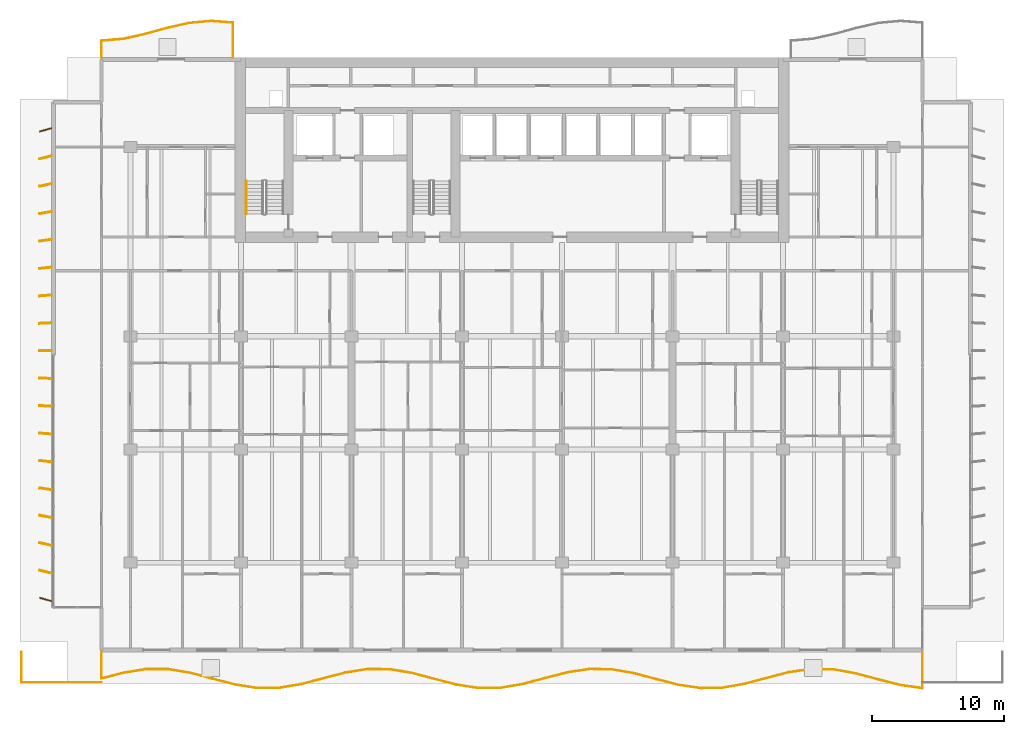
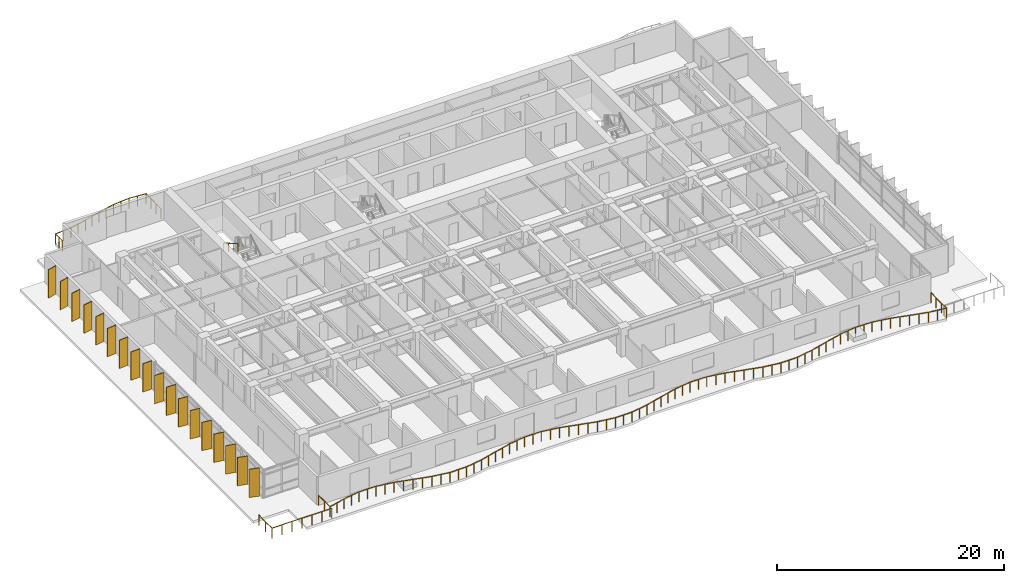
# One storey, part 14 of 17: 18 shading devices, 4 railings.
"""IFC4 building model written with IfcOpenShell, lengths in metres."""

from ifc_helpers import new_model, si_unit, direction, frame, origin, origin_2d, place, context, subcontext, project, spatial, rectangle, circle, extrude, material, material_profile, profile_set, type_object, element, save


model = new_model("IFC4")

# Units and contexts
model_context = context("Model", 3, precision=1e-05, world=origin(), true_north=direction((0.0, 1.0)))
body_context = subcontext(model_context, "Body", "Model", "MODEL_VIEW")
ifc_project = project(units=[si_unit("LENGTHUNIT", "METRE"), si_unit("AREAUNIT", "SQUARE_METRE"), si_unit("VOLUMEUNIT", "CUBIC_METRE"), si_unit("PLANEANGLEUNIT", "RADIAN"), si_unit("MASSUNIT", "GRAM", prefix="KILO")], contexts=[model_context])

# Site, building, storey
site_placement = place(None, origin())
site = spatial("IfcSite", under=ifc_project, at=site_placement, CompositionType="ELEMENT")
building_placement = place(site_placement, origin())
building = spatial("IfcBuilding", under=site, at=building_placement, Name="Caelmar Bay Residences", CompositionType="ELEMENT")
storey_placement = place(building_placement, frame((0.0, 0.0, 84.60009765625)))
storey = spatial("IfcBuildingStorey", under=building, at=storey_placement, Name="L22", CompositionType="ELEMENT", Elevation=84.60009765625)

# Railings
ifc_material_1 = material(Name="Anodised bronze handrail with laminated hurricane glass infill", Category="glass")
railing_type_1 = type_object("IfcRailingType", Name="RL-BAL-1100", PredefinedType="BALUSTRADE", material=ifc_material_1)
railing_1_placement = place(storey_placement, frame((7.699951171875, 5.39990234375, 0.0)))
element("IfcRailing", 1, at=railing_1_placement, inside=storey, type_object=railing_type_1, Name="L22 south Balcony Balustrade", PredefinedType="BALUSTRADE", context=body_context, shape_type="SweptSolid", body=[
    extrude(circle(Radius=0.02392578125, at=origin_2d()), frame((0.0, 0.0, 1.076171875), z_axis=(0.0, -1.0, 0.0), x_axis=(1.0, 0.0, 0.0)), (0.0, 0.0, 1.0), 2.02001953125),
    extrude(circle(Radius=0.02392578125, at=origin_2d()), frame((0.0, -2.02001953125, 1.076171875), z_axis=(0.967277371032, 0.253721279142, 0.0), x_axis=(-0.253721279142, 0.967277371032, 0.0)), (0.0, 0.0, 1.0), 1.74365234375),
    extrude(circle(Radius=0.02392578125, at=origin_2d()), frame((1.6865234375, -1.57763671875, 1.076171875), z_axis=(0.987222996916, 0.159344765715, 0.0), x_axis=(-0.159344765715, 0.987222996916, 0.0)), (0.0, 0.0, 1.0), 1.708251953125),
    extrude(circle(Radius=0.02392578125, at=origin_2d()), frame((3.373046875, -1.305419921875, 1.076171875), z_axis=(0.999998491217, -0.001737113766, 0.0), x_axis=(0.001737113766, 0.999998491217, 0.0)), (0.0, 0.0, 1.0), 1.6865234375),
    extrude(circle(Radius=0.02392578125, at=origin_2d()), frame((5.0595703125, -1.308349609375, 1.076171875), z_axis=(0.986811582077, -0.16187310301, 0.0), x_axis=(0.16187310301, 0.986811582077, 0.0)), (0.0, 0.0, 1.0), 1.708740234375),
    extrude(circle(Radius=0.02392578125, at=origin_2d()), frame((6.745849609375, -1.5849609375, 1.076171875), z_axis=(0.967036446825, -0.254637998954, 0.0), x_axis=(0.254637998954, 0.967036446825, 0.0)), (0.0, 0.0, 1.0), 1.743896484375),
    extrude(circle(Radius=0.02392578125, at=origin_2d()), frame((8.432373046875, -2.029052734375, 1.076171875), z_axis=(0.967551794739, -0.252672761684, 0.0), x_axis=(0.252672761684, 0.967551794739, 0.0)), (0.0, 0.0, 1.0), 1.7431640625),
    extrude(circle(Radius=0.02392578125, at=origin_2d()), frame((10.118896484375, -2.469482421875, 1.076171875), z_axis=(0.987646769685, -0.156696708103, 0.0), x_axis=(0.156696708103, 0.987646769685, 0.0)), (0.0, 0.0, 1.0), 1.70751953125),
    extrude(circle(Radius=0.02392578125, at=origin_2d()), frame((11.805419921875, -2.737060546875, 1.076171875), z_axis=(0.999987165083, 0.005066524432, 0.0), x_axis=(-0.005066524432, 0.999987165083, 0.0)), (0.0, 0.0, 1.0), 1.6865234375),
    extrude(circle(Radius=0.02392578125, at=origin_2d()), frame((13.491943359375, -2.728515625, 1.076171875), z_axis=(0.986401641189, 0.164352676463, 0.0), x_axis=(-0.164352676463, 0.986401641189, 0.0)), (0.0, 0.0, 1.0), 1.709716796875),
    extrude(circle(Radius=0.02392578125, at=origin_2d()), frame((15.178466796875, -2.447509765625, 1.076171875), z_axis=(0.966794774667, 0.255554032794, 0.0), x_axis=(-0.255554032794, 0.966794774667, 0.0)), (0.0, 0.0, 1.0), 1.744384765625),
    extrude(circle(Radius=0.02392578125, at=origin_2d()), frame((16.864990234375, -2.001708984375, 1.076171875), z_axis=(0.967791109938, 0.251754577962, 0.0), x_axis=(-0.251754577962, 0.967791109938, 0.0)), (0.0, 0.0, 1.0), 1.74267578125),
    extrude(circle(Radius=0.02392578125, at=origin_2d()), frame((18.551513671875, -1.56298828125, 1.076171875), z_axis=(0.988082163557, 0.153927379179, 0.0), x_axis=(-0.153927379179, 0.988082163557, 0.0)), (0.0, 0.0, 1.0), 1.70654296875),
    extrude(circle(Radius=0.02392578125, at=origin_2d()), frame((20.23779296875, -1.30029296875, 1.076171875), z_axis=(0.999965959739, -0.008251021961, 0.0), x_axis=(0.008251021961, 0.999965959739, 0.0)), (0.0, 0.0, 1.0), 1.6865234375),
    extrude(circle(Radius=0.02392578125, at=origin_2d()), frame((21.92431640625, -1.314208984375, 1.076171875), z_axis=(0.985958479003, -0.166990651481, 0.0), x_axis=(0.166990651481, 0.985958479003, 0.0)), (0.0, 0.0, 1.0), 1.71044921875),
    extrude(circle(Radius=0.02392578125, at=origin_2d()), frame((23.61083984375, -1.599853515625, 1.076171875), z_axis=(0.966587033204, -0.256338657329, 0.0), x_axis=(0.256338657329, 0.966587033204, 0.0)), (0.0, 0.0, 1.0), 1.744873046875),
    extrude(circle(Radius=0.02392578125, at=origin_2d()), frame((25.29736328125, -2.047119140625, 1.076171875), z_axis=(0.968063689917, -0.250704392192, 0.0), x_axis=(0.250704392192, 0.968063689917, 0.0)), (0.0, 0.0, 1.0), 1.7421875),
    extrude(circle(Radius=0.02392578125, at=origin_2d()), frame((26.98388671875, -2.48388671875, 1.076171875), z_axis=(0.988474035302, -0.151390493536, 0.0), x_axis=(0.151390493536, 0.988474035302, 0.0)), (0.0, 0.0, 1.0), 1.706298828125),
    extrude(circle(Radius=0.02392578125, at=origin_2d()), frame((28.67041015625, -2.7421875, 1.076171875), z_axis=(0.999931262995, 0.011724729633, 0.0), x_axis=(-0.011724729633, 0.999931262995, 0.0)), (0.0, 0.0, 1.0), 1.6865234375),
    extrude(circle(Radius=0.02392578125, at=origin_2d()), frame((30.35693359375, -2.722412109375, 1.076171875), z_axis=(0.985528412921, 0.169510316281, 0.0), x_axis=(-0.169510316281, 0.985528412921, 0.0)), (0.0, 0.0, 1.0), 1.7109375),
    extrude(circle(Radius=0.02392578125, at=origin_2d()), frame((32.043212890625, -2.432373046875, 1.076171875), z_axis=(0.966343976933, 0.257253412504, 0.0), x_axis=(-0.257253412504, 0.966343976933, 0.0)), (0.0, 0.0, 1.0), 1.745361328125),
    extrude(circle(Radius=0.02392578125, at=origin_2d()), frame((33.729736328125, -1.9833984375, 1.076171875), z_axis=(0.968335282607, 0.249653320545, 0.0), x_axis=(-0.249653320545, 0.968335282607, 0.0)), (0.0, 0.0, 1.0), 1.74169921875),
    extrude(circle(Radius=0.02392578125, at=origin_2d()), frame((35.416259765625, -1.548583984375, 1.076171875), z_axis=(0.988919545857, 0.148452456435, 0.0), x_axis=(-0.148452456435, 0.988919545857, 0.0)), (0.0, 0.0, 1.0), 1.705322265625),
    extrude(circle(Radius=0.02392578125, at=origin_2d()), frame((37.102783203125, -1.29541015625, 1.076171875), z_axis=(0.999888860768, -0.014908591873, 0.0), x_axis=(0.014908591873, 0.999888860768, 0.0)), (0.0, 0.0, 1.0), 1.686767578125),
    extrude(circle(Radius=0.02392578125, at=origin_2d()), frame((38.789306640625, -1.320556640625, 1.076171875), z_axis=(0.985100605881, -0.171979057715, 0.0), x_axis=(0.171979057715, 0.985100605881, 0.0)), (0.0, 0.0, 1.0), 1.7119140625),
    extrude(circle(Radius=0.02392578125, at=origin_2d()), frame((40.475830078125, -1.614990234375, 1.076171875), z_axis=(0.966135051847, -0.258036938428, 0.0), x_axis=(0.258036938428, 0.966135051847, 0.0)), (0.0, 0.0, 1.0), 1.74560546875),
    extrude(circle(Radius=0.02392578125, at=origin_2d()), frame((42.162353515625, -2.0654296875, 1.076171875), z_axis=(0.968630982277, -0.24850356169, 0.0), x_axis=(0.24850356169, 0.968630982277, 0.0)), (0.0, 0.0, 1.0), 1.740966796875),
    extrude(circle(Radius=0.02392578125, at=origin_2d()), frame((43.8486328125, -2.498046875, 1.076171875), z_axis=(0.989294770165, -0.1459310033, 0.0), x_axis=(0.1459310033, 0.989294770165, 0.0)), (0.0, 0.0, 1.0), 1.704833984375),
    extrude(circle(Radius=0.02392578125, at=origin_2d()), frame((45.53515625, -2.746826171875, 1.076171875), z_axis=(0.999831048242, 0.01838137567, 0.0), x_axis=(-0.01838137567, 0.999831048242, 0.0)), (0.0, 0.0, 1.0), 1.686767578125),
    extrude(circle(Radius=0.02392578125, at=origin_2d()), frame((47.2216796875, -2.7158203125, 1.076171875), z_axis=(0.984662785192, 0.174468333682, 0.0), x_axis=(-0.174468333682, 0.984662785192, 0.0)), (0.0, 0.0, 1.0), 1.712890625),
    extrude(circle(Radius=0.02392578125, at=origin_2d()), frame((48.908203125, -2.4169921875, 1.076171875), z_axis=(0.965960531679, 0.258689488073, 0.0), x_axis=(-0.258689488073, 0.965960531679, 0.0)), (0.0, 0.0, 1.0), 1.745849609375),
    extrude(circle(Radius=0.02392578125, at=origin_2d()), frame((50.5947265625, -1.96533203125, 1.076171875), z_axis=(0.968909126405, 0.247416864357, 0.0), x_axis=(-0.247416864357, 0.968909126405, 0.0)), (0.0, 0.0, 1.0), 1.74072265625),
    extrude(circle(Radius=0.02392578125, at=origin_2d()), frame((52.28125, -1.53466796875, 1.076171875), z_axis=(0.989701532203, 0.143146348729, 0.0), x_axis=(-0.143146348729, 0.989701532203, 0.0)), (0.0, 0.0, 1.0), 1.703857421875),
    extrude(circle(Radius=0.02392578125, at=origin_2d()), frame((53.967529296875, -1.290771484375, 1.076171875), z_axis=(0.999764335416, -0.021708837625, 0.0), x_axis=(0.021708837625, 0.999764335416, 0.0)), (0.0, 0.0, 1.0), 1.68701171875),
    extrude(circle(Radius=0.02392578125, at=origin_2d()), frame((55.654052734375, -1.327392578125, 1.076171875), z_axis=(0.984219074529, -0.176954269045, 0.0), x_axis=(0.176954269045, 0.984219074529, 0.0)), (0.0, 0.0, 1.0), 1.713623046875),
    extrude(circle(Radius=0.02392578125, at=origin_2d()), frame((57.340576171875, -1.630615234375, 1.076171875), z_axis=(0.965785634121, -0.259341683743, 0.0), x_axis=(0.259341683743, 0.965785634121, 0.0)), (0.0, 0.0, 1.0), 1.746337890625),
    extrude(circle(Radius=0.02392578125, at=origin_2d()), frame((59.027099609375, -2.08349609375, 1.076171875), z_axis=(0.969211107157, -0.246231252614, 0.0), x_axis=(0.246231252614, 0.969211107157, 0.0)), (0.0, 0.0, 1.0), 1.739990234375),
    extrude(circle(Radius=0.02392578125, at=origin_2d()), frame((60.713623046875, -2.511962890625, 1.076171875), z_axis=(0.990086616786, -0.14045814772, 0.0), x_axis=(0.14045814772, 0.990086616786, 0.0)), (0.0, 0.0, 1.0), 1.703369140625),
    extrude(circle(Radius=0.02392578125, at=origin_2d()), frame((62.400146484375, -2.751220703125, 1.076171875), z_axis=(0.0, 1.0, 0.0), x_axis=(-1.0, 0.0, 0.0)), (0.0, 0.0, 1.0), 2.751220703125),
    extrude(circle(Radius=0.02099609375, at=origin_2d()), origin(), (0.0, 0.0, 1.0), 1.052001953125),
    extrude(circle(Radius=0.02099609375, at=origin_2d()), frame((0.0, -1.010009765625, 0.0)), (0.0, 0.0, 1.0), 1.052001953125),
    extrude(circle(Radius=0.02099609375, at=origin_2d()), frame((0.0, -2.02001953125, 0.0)), (0.0, 0.0, 1.0), 1.052001953125),
    extrude(circle(Radius=0.02099609375, at=origin_2d()), frame((0.84326171875, -1.798828125, 0.0)), (0.0, 0.0, 1.0), 1.052001953125),
    extrude(circle(Radius=0.02099609375, at=origin_2d()), frame((1.6865234375, -1.57763671875, 0.0)), (0.0, 0.0, 1.0), 1.052001953125),
    extrude(circle(Radius=0.02099609375, at=origin_2d()), frame((2.52978515625, -1.44140625, 0.0)), (0.0, 0.0, 1.0), 1.052001953125),
    extrude(circle(Radius=0.02099609375, at=origin_2d()), frame((3.373046875, -1.305419921875, 0.0)), (0.0, 0.0, 1.0), 1.052001953125),
    extrude(circle(Radius=0.02099609375, at=origin_2d()), frame((4.21630859375, -1.306884765625, 0.0)), (0.0, 0.0, 1.0), 1.052001953125),
    extrude(circle(Radius=0.02099609375, at=origin_2d()), frame((5.0595703125, -1.308349609375, 0.0)), (0.0, 0.0, 1.0), 1.052001953125),
    extrude(circle(Radius=0.02099609375, at=origin_2d()), frame((5.90283203125, -1.44677734375, 0.0)), (0.0, 0.0, 1.0), 1.052001953125),
    extrude(circle(Radius=0.02099609375, at=origin_2d()), frame((6.745849609375, -1.5849609375, 0.0)), (0.0, 0.0, 1.0), 1.052001953125),
    extrude(circle(Radius=0.02099609375, at=origin_2d()), frame((7.589111328125, -1.80712890625, 0.0)), (0.0, 0.0, 1.0), 1.052001953125),
    extrude(circle(Radius=0.02099609375, at=origin_2d()), frame((8.432373046875, -2.029052734375, 0.0)), (0.0, 0.0, 1.0), 1.052001953125),
    extrude(circle(Radius=0.02099609375, at=origin_2d()), frame((9.275634765625, -2.249267578125, 0.0)), (0.0, 0.0, 1.0), 1.052001953125),
    extrude(circle(Radius=0.02099609375, at=origin_2d()), frame((10.118896484375, -2.469482421875, 0.0)), (0.0, 0.0, 1.0), 1.052001953125),
    extrude(circle(Radius=0.02099609375, at=origin_2d()), frame((10.962158203125, -2.603271484375, 0.0)), (0.0, 0.0, 1.0), 1.052001953125),
    extrude(circle(Radius=0.02099609375, at=origin_2d()), frame((11.805419921875, -2.737060546875, 0.0)), (0.0, 0.0, 1.0), 1.052001953125),
    extrude(circle(Radius=0.02099609375, at=origin_2d()), frame((12.648681640625, -2.73291015625, 0.0)), (0.0, 0.0, 1.0), 1.052001953125),
    extrude(circle(Radius=0.02099609375, at=origin_2d()), frame((13.491943359375, -2.728515625, 0.0)), (0.0, 0.0, 1.0), 1.052001953125),
    extrude(circle(Radius=0.02099609375, at=origin_2d()), frame((14.335205078125, -2.587890625, 0.0)), (0.0, 0.0, 1.0), 1.052001953125),
    extrude(circle(Radius=0.02099609375, at=origin_2d()), frame((15.178466796875, -2.447509765625, 0.0)), (0.0, 0.0, 1.0), 1.052001953125),
    extrude(circle(Radius=0.02099609375, at=origin_2d()), frame((16.021728515625, -2.224609375, 0.0)), (0.0, 0.0, 1.0), 1.052001953125),
    extrude(circle(Radius=0.02099609375, at=origin_2d()), frame((16.864990234375, -2.001708984375, 0.0)), (0.0, 0.0, 1.0), 1.052001953125),
    extrude(circle(Radius=0.02099609375, at=origin_2d()), frame((17.708251953125, -1.7822265625, 0.0)), (0.0, 0.0, 1.0), 1.052001953125),
    extrude(circle(Radius=0.02099609375, at=origin_2d()), frame((18.551513671875, -1.56298828125, 0.0)), (0.0, 0.0, 1.0), 1.052001953125),
    extrude(circle(Radius=0.02099609375, at=origin_2d()), frame((19.39453125, -1.431640625, 0.0)), (0.0, 0.0, 1.0), 1.052001953125),
    extrude(circle(Radius=0.02099609375, at=origin_2d()), frame((20.23779296875, -1.30029296875, 0.0)), (0.0, 0.0, 1.0), 1.052001953125),
    extrude(circle(Radius=0.02099609375, at=origin_2d()), frame((21.0810546875, -1.30712890625, 0.0)), (0.0, 0.0, 1.0), 1.052001953125),
    extrude(circle(Radius=0.02099609375, at=origin_2d()), frame((21.92431640625, -1.314208984375, 0.0)), (0.0, 0.0, 1.0), 1.052001953125),
    extrude(circle(Radius=0.02099609375, at=origin_2d()), frame((22.767578125, -1.45703125, 0.0)), (0.0, 0.0, 1.0), 1.052001953125),
    extrude(circle(Radius=0.02099609375, at=origin_2d()), frame((23.61083984375, -1.599853515625, 0.0)), (0.0, 0.0, 1.0), 1.052001953125),
    extrude(circle(Radius=0.02099609375, at=origin_2d()), frame((24.4541015625, -1.823486328125, 0.0)), (0.0, 0.0, 1.0), 1.052001953125),
    extrude(circle(Radius=0.02099609375, at=origin_2d()), frame((25.29736328125, -2.047119140625, 0.0)), (0.0, 0.0, 1.0), 1.052001953125),
    extrude(circle(Radius=0.02099609375, at=origin_2d()), frame((26.140625, -2.265625, 0.0)), (0.0, 0.0, 1.0), 1.052001953125),
    extrude(circle(Radius=0.02099609375, at=origin_2d()), frame((26.98388671875, -2.48388671875, 0.0)), (0.0, 0.0, 1.0), 1.052001953125),
    extrude(circle(Radius=0.02099609375, at=origin_2d()), frame((27.8271484375, -2.613037109375, 0.0)), (0.0, 0.0, 1.0), 1.052001953125),
    extrude(circle(Radius=0.02099609375, at=origin_2d()), frame((28.67041015625, -2.7421875, 0.0)), (0.0, 0.0, 1.0), 1.052001953125),
    extrude(circle(Radius=0.02099609375, at=origin_2d()), frame((29.513671875, -2.732421875, 0.0)), (0.0, 0.0, 1.0), 1.052001953125),
    extrude(circle(Radius=0.02099609375, at=origin_2d()), frame((30.35693359375, -2.722412109375, 0.0)), (0.0, 0.0, 1.0), 1.052001953125),
    extrude(circle(Radius=0.02099609375, at=origin_2d()), frame((31.2001953125, -2.577392578125, 0.0)), (0.0, 0.0, 1.0), 1.052001953125),
    extrude(circle(Radius=0.02099609375, at=origin_2d()), frame((32.043212890625, -2.432373046875, 0.0)), (0.0, 0.0, 1.0), 1.052001953125),
    extrude(circle(Radius=0.02099609375, at=origin_2d()), frame((32.886474609375, -2.2080078125, 0.0)), (0.0, 0.0, 1.0), 1.052001953125),
    extrude(circle(Radius=0.02099609375, at=origin_2d()), frame((33.729736328125, -1.9833984375, 0.0)), (0.0, 0.0, 1.0), 1.052001953125),
    extrude(circle(Radius=0.02099609375, at=origin_2d()), frame((34.572998046875, -1.76611328125, 0.0)), (0.0, 0.0, 1.0), 1.052001953125),
    extrude(circle(Radius=0.02099609375, at=origin_2d()), frame((35.416259765625, -1.548583984375, 0.0)), (0.0, 0.0, 1.0), 1.052001953125),
    extrude(circle(Radius=0.02099609375, at=origin_2d()), frame((36.259521484375, -1.421875, 0.0)), (0.0, 0.0, 1.0), 1.052001953125),
    extrude(circle(Radius=0.02099609375, at=origin_2d()), frame((37.102783203125, -1.29541015625, 0.0)), (0.0, 0.0, 1.0), 1.052001953125),
    extrude(circle(Radius=0.02099609375, at=origin_2d()), frame((37.946044921875, -1.30810546875, 0.0)), (0.0, 0.0, 1.0), 1.052001953125),
    extrude(circle(Radius=0.02099609375, at=origin_2d()), frame((38.789306640625, -1.320556640625, 0.0)), (0.0, 0.0, 1.0), 1.052001953125),
    extrude(circle(Radius=0.02099609375, at=origin_2d()), frame((39.632568359375, -1.4677734375, 0.0)), (0.0, 0.0, 1.0), 1.052001953125),
    extrude(circle(Radius=0.02099609375, at=origin_2d()), frame((40.475830078125, -1.614990234375, 0.0)), (0.0, 0.0, 1.0), 1.052001953125),
    extrude(circle(Radius=0.02099609375, at=origin_2d()), frame((41.319091796875, -1.84033203125, 0.0)), (0.0, 0.0, 1.0), 1.052001953125),
    extrude(circle(Radius=0.02099609375, at=origin_2d()), frame((42.162353515625, -2.0654296875, 0.0)), (0.0, 0.0, 1.0), 1.052001953125),
    extrude(circle(Radius=0.02099609375, at=origin_2d()), frame((43.00537109375, -2.28173828125, 0.0)), (0.0, 0.0, 1.0), 1.052001953125),
    extrude(circle(Radius=0.02099609375, at=origin_2d()), frame((43.8486328125, -2.498046875, 0.0)), (0.0, 0.0, 1.0), 1.052001953125),
    extrude(circle(Radius=0.02099609375, at=origin_2d()), frame((44.69189453125, -2.62255859375, 0.0)), (0.0, 0.0, 1.0), 1.052001953125),
    extrude(circle(Radius=0.02099609375, at=origin_2d()), frame((45.53515625, -2.746826171875, 0.0)), (0.0, 0.0, 1.0), 1.052001953125),
    extrude(circle(Radius=0.02099609375, at=origin_2d()), frame((46.37841796875, -2.7314453125, 0.0)), (0.0, 0.0, 1.0), 1.052001953125),
    extrude(circle(Radius=0.02099609375, at=origin_2d()), frame((47.2216796875, -2.7158203125, 0.0)), (0.0, 0.0, 1.0), 1.052001953125),
    extrude(circle(Radius=0.02099609375, at=origin_2d()), frame((48.06494140625, -2.56640625, 0.0)), (0.0, 0.0, 1.0), 1.052001953125),
    extrude(circle(Radius=0.02099609375, at=origin_2d()), frame((48.908203125, -2.4169921875, 0.0)), (0.0, 0.0, 1.0), 1.052001953125),
    extrude(circle(Radius=0.02099609375, at=origin_2d()), frame((49.75146484375, -2.191162109375, 0.0)), (0.0, 0.0, 1.0), 1.052001953125),
    extrude(circle(Radius=0.02099609375, at=origin_2d()), frame((50.5947265625, -1.96533203125, 0.0)), (0.0, 0.0, 1.0), 1.052001953125),
    extrude(circle(Radius=0.02099609375, at=origin_2d()), frame((51.43798828125, -1.75, 0.0)), (0.0, 0.0, 1.0), 1.052001953125),
    extrude(circle(Radius=0.02099609375, at=origin_2d()), frame((52.28125, -1.53466796875, 0.0)), (0.0, 0.0, 1.0), 1.052001953125),
    extrude(circle(Radius=0.02099609375, at=origin_2d()), frame((53.12451171875, -1.41259765625, 0.0)), (0.0, 0.0, 1.0), 1.052001953125),
    extrude(circle(Radius=0.02099609375, at=origin_2d()), frame((53.967529296875, -1.290771484375, 0.0)), (0.0, 0.0, 1.0), 1.052001953125),
    extrude(circle(Radius=0.02099609375, at=origin_2d()), frame((54.810791015625, -1.30908203125, 0.0)), (0.0, 0.0, 1.0), 1.052001953125),
    extrude(circle(Radius=0.02099609375, at=origin_2d()), frame((55.654052734375, -1.327392578125, 0.0)), (0.0, 0.0, 1.0), 1.052001953125),
    extrude(circle(Radius=0.02099609375, at=origin_2d()), frame((56.497314453125, -1.47900390625, 0.0)), (0.0, 0.0, 1.0), 1.052001953125),
    extrude(circle(Radius=0.02099609375, at=origin_2d()), frame((57.340576171875, -1.630615234375, 0.0)), (0.0, 0.0, 1.0), 1.052001953125),
    extrude(circle(Radius=0.02099609375, at=origin_2d()), frame((58.183837890625, -1.85693359375, 0.0)), (0.0, 0.0, 1.0), 1.052001953125),
    extrude(circle(Radius=0.02099609375, at=origin_2d()), frame((59.027099609375, -2.08349609375, 0.0)), (0.0, 0.0, 1.0), 1.052001953125),
    extrude(circle(Radius=0.02099609375, at=origin_2d()), frame((59.870361328125, -2.2978515625, 0.0)), (0.0, 0.0, 1.0), 1.052001953125),
    extrude(circle(Radius=0.02099609375, at=origin_2d()), frame((60.713623046875, -2.511962890625, 0.0)), (0.0, 0.0, 1.0), 1.052001953125),
    extrude(circle(Radius=0.02099609375, at=origin_2d()), frame((61.556884765625, -2.631591796875, 0.0)), (0.0, 0.0, 1.0), 1.052001953125),
    extrude(circle(Radius=0.02099609375, at=origin_2d()), frame((62.400146484375, -2.751220703125, 0.0)), (0.0, 0.0, 1.0), 1.052001953125),
    extrude(circle(Radius=0.02099609375, at=origin_2d()), frame((62.400146484375, -1.834228515625, 0.0)), (0.0, 0.0, 1.0), 1.052001953125),
    extrude(circle(Radius=0.02099609375, at=origin_2d()), frame((62.400146484375, -0.9169921875, 0.0)), (0.0, 0.0, 1.0), 1.052001953125),
    extrude(circle(Radius=0.02099609375, at=origin_2d()), frame((62.400146484375, 0.0, 0.0)), (0.0, 0.0, 1.0), 1.052001953125),
])
railing_2_placement = place(storey_placement, frame((17.699951171875, 50.60009765625, 0.0)))
element("IfcRailing", 2, at=railing_2_placement, inside=storey, type_object=railing_type_1, Name="L22 north_west Balcony Balustrade", PredefinedType="BALUSTRADE", context=body_context, shape_type="SweptSolid", body=[
    extrude(circle(Radius=0.02392578125, at=origin_2d()), frame((0.0, 0.0, 1.076171875), z_axis=(0.0, 1.0, 0.0), x_axis=(-1.0, 0.0, 0.0)), (0.0, 0.0, 1.0), 2.6396484375),
    extrude(circle(Radius=0.02392578125, at=origin_2d()), frame((0.0, 2.6396484375, 1.076171875), z_axis=(-0.996966215155, 0.077835505006, 0.0), x_axis=(-0.077835505006, -0.996966215155, 0.0)), (0.0, 0.0, 1.0), 1.671875),
    extrude(circle(Radius=0.02392578125, at=origin_2d()), frame((-1.666748046875, 2.769775390625, 1.076171875), z_axis=(-0.995874050557, -0.090746214393, 0.0), x_axis=(0.090746214393, -0.995874050557, 0.0)), (0.0, 0.0, 1.0), 1.67333984375),
    extrude(circle(Radius=0.02392578125, at=origin_2d()), frame((-3.333251953125, 2.617919921875, 1.076171875), z_axis=(-0.975366683034, -0.220589740531, 0.0), x_axis=(0.220589740531, -0.975366683034, 0.0)), (0.0, 0.0, 1.0), 1.708740234375),
    extrude(circle(Radius=0.02392578125, at=origin_2d()), frame((-5.0, 2.240966796875, 1.076171875), z_axis=(-0.963967650546, -0.266019489326, 0.0), x_axis=(0.266019489326, -0.963967650546, 0.0)), (0.0, 0.0, 1.0), 1.72900390625),
    extrude(circle(Radius=0.02392578125, at=origin_2d()), frame((-6.666748046875, 1.781005859375, 1.076171875), z_axis=(-0.976213972961, -0.216809314827, 0.0), x_axis=(0.216809314827, -0.976213972961, 0.0)), (0.0, 0.0, 1.0), 1.70703125),
    extrude(circle(Radius=0.02392578125, at=origin_2d()), frame((-8.333251953125, 1.410888671875, 1.076171875), z_axis=(-0.996447429346, -0.084217103667, 0.0), x_axis=(0.084217103667, -0.996447429346, 0.0)), (0.0, 0.0, 1.0), 1.672607421875),
    extrude(circle(Radius=0.02392578125, at=origin_2d()), frame((-10.0, 1.27001953125, 1.076171875), z_axis=(0.0, -1.0, 0.0), x_axis=(1.0, 0.0, 0.0)), (0.0, 0.0, 1.0), 1.27001953125),
    extrude(circle(Radius=0.02099609375, at=origin_2d()), origin(), (0.0, 0.0, 1.0), 1.052001953125),
    extrude(circle(Radius=0.02099609375, at=origin_2d()), frame((0.0, 0.8798828125, 0.0)), (0.0, 0.0, 1.0), 1.052001953125),
    extrude(circle(Radius=0.02099609375, at=origin_2d()), frame((0.0, 1.759765625, 0.0)), (0.0, 0.0, 1.0), 1.052001953125),
    extrude(circle(Radius=0.02099609375, at=origin_2d()), frame((0.0, 2.6396484375, 0.0)), (0.0, 0.0, 1.0), 1.052001953125),
    extrude(circle(Radius=0.02099609375, at=origin_2d()), frame((-0.83349609375, 2.70458984375, 0.0)), (0.0, 0.0, 1.0), 1.052001953125),
    extrude(circle(Radius=0.02099609375, at=origin_2d()), frame((-1.666748046875, 2.769775390625, 0.0)), (0.0, 0.0, 1.0), 1.052001953125),
    extrude(circle(Radius=0.02099609375, at=origin_2d()), frame((-2.5, 2.69384765625, 0.0)), (0.0, 0.0, 1.0), 1.052001953125),
    extrude(circle(Radius=0.02099609375, at=origin_2d()), frame((-3.333251953125, 2.617919921875, 0.0)), (0.0, 0.0, 1.0), 1.052001953125),
    extrude(circle(Radius=0.02099609375, at=origin_2d()), frame((-4.16650390625, 2.429443359375, 0.0)), (0.0, 0.0, 1.0), 1.052001953125),
    extrude(circle(Radius=0.02099609375, at=origin_2d()), frame((-5.0, 2.240966796875, 0.0)), (0.0, 0.0, 1.0), 1.052001953125),
    extrude(circle(Radius=0.02099609375, at=origin_2d()), frame((-5.83349609375, 2.010986328125, 0.0)), (0.0, 0.0, 1.0), 1.052001953125),
    extrude(circle(Radius=0.02099609375, at=origin_2d()), frame((-6.666748046875, 1.781005859375, 0.0)), (0.0, 0.0, 1.0), 1.052001953125),
    extrude(circle(Radius=0.02099609375, at=origin_2d()), frame((-7.5, 1.595947265625, 0.0)), (0.0, 0.0, 1.0), 1.052001953125),
    extrude(circle(Radius=0.02099609375, at=origin_2d()), frame((-8.333251953125, 1.410888671875, 0.0)), (0.0, 0.0, 1.0), 1.052001953125),
    extrude(circle(Radius=0.02099609375, at=origin_2d()), frame((-9.16650390625, 1.34033203125, 0.0)), (0.0, 0.0, 1.0), 1.052001953125),
    extrude(circle(Radius=0.02099609375, at=origin_2d()), frame((-10.0, 1.27001953125, 0.0)), (0.0, 0.0, 1.0), 1.052001953125),
    extrude(circle(Radius=0.02099609375, at=origin_2d()), frame((-10.0, 0.635009765625, 0.0)), (0.0, 0.0, 1.0), 1.052001953125),
    extrude(circle(Radius=0.02099609375, at=origin_2d()), frame((-10.0, 0.0, 0.0)), (0.0, 0.0, 1.0), 1.052001953125),
])
railing_3_placement = place(storey_placement, frame((1.60009765625, 5.39990234375, 0.0)))
element("IfcRailing", 3, at=railing_3_placement, inside=storey, type_object=railing_type_1, Name="L22 West Planted Terrace Balustrade", PredefinedType="BALUSTRADE", context=body_context, shape_type="SweptSolid", body=[
    extrude(circle(Radius=0.02392578125, at=origin_2d()), frame((0.0, 0.0, 1.076171875), z_axis=(0.0, -1.0, 0.0), x_axis=(1.0, 0.0, 0.0)), (0.0, 0.0, 1.0), 2.2998046875),
    extrude(circle(Radius=0.02392578125, at=origin_2d()), frame((0.0, -2.2998046875, 1.076171875), z_axis=(1.0, 0.0, 0.0), x_axis=(0.0, 1.0, 0.0)), (0.0, 0.0, 1.0), 6.099853515625),
    extrude(circle(Radius=0.02099609375, at=origin_2d()), origin(), (0.0, 0.0, 1.0), 1.052001953125),
    extrude(circle(Radius=0.02099609375, at=origin_2d()), frame((0.0, -1.14990234375, 0.0)), (0.0, 0.0, 1.0), 1.052001953125),
    extrude(circle(Radius=0.02099609375, at=origin_2d()), frame((0.0, -2.2998046875, 0.0)), (0.0, 0.0, 1.0), 1.052001953125),
    extrude(circle(Radius=0.02099609375, at=origin_2d()), frame((1.0166015625, -2.2998046875, 0.0)), (0.0, 0.0, 1.0), 1.052001953125),
    extrude(circle(Radius=0.02099609375, at=origin_2d()), frame((2.033203125, -2.2998046875, 0.0)), (0.0, 0.0, 1.0), 1.052001953125),
    extrude(circle(Radius=0.02099609375, at=origin_2d()), frame((3.0498046875, -2.2998046875, 0.0)), (0.0, 0.0, 1.0), 1.052001953125),
    extrude(circle(Radius=0.02099609375, at=origin_2d()), frame((4.066650390625, -2.2998046875, 0.0)), (0.0, 0.0, 1.0), 1.052001953125),
    extrude(circle(Radius=0.02099609375, at=origin_2d()), frame((5.083251953125, -2.2998046875, 0.0)), (0.0, 0.0, 1.0), 1.052001953125),
    extrude(circle(Radius=0.02099609375, at=origin_2d()), frame((6.099853515625, -2.2998046875, 0.0)), (0.0, 0.0, 1.0), 1.052001953125),
])
ifc_material_2 = material(Name="Brushed bronze stainless-steel tubular handrail 900 mm", Category="steel")
railing_type_2 = type_object("IfcRailingType", Name="RL-HND-900", PredefinedType="HANDRAIL", material=ifc_material_2)
railing_4_placement = place(storey_placement, frame((18.699951171875, 41.219970703125, 1.81494140625)))
element("IfcRailing", 4, at=railing_4_placement, inside=storey, type_object=railing_type_2, Name="L22 ST1 stair handrail 2", PredefinedType="HANDRAIL", context=body_context, shape_type="SweptSolid", body=[
    extrude(circle(Radius=0.02392578125, at=origin_2d()), frame((0.0, 0.0, 0.8759765625), z_axis=(0.0, -0.861560626758, 0.507654692109), x_axis=(1.0, 0.0, 0.0)), (0.0, 0.0, 1.0), 2.925048828125),
    extrude(circle(Radius=0.02099609375, at=origin_2d()), origin(), (0.0, 0.0, 1.0), 0.851806640625),
    extrude(circle(Radius=0.02099609375, at=origin_2d()), frame((0.0, -0.840087890625, 0.494873046875)), (0.0, 0.0, 1.0), 0.851806640625),
    extrude(circle(Radius=0.02099609375, at=origin_2d()), frame((0.0, -1.679931640625, 0.989990234375)), (0.0, 0.0, 1.0), 0.851806640625),
    extrude(circle(Radius=0.02099609375, at=origin_2d()), frame((0.0, -2.52001953125, 1.48486328125)), (0.0, 0.0, 1.0), 0.851806640625),
])

# Shading devices
ifc_material_3 = material(Name="Anodised architectural bronze aluminium 6063-T6", Category="aluminium")
ifc_material_profile = material_profile(ifc_material_3, rectangle(XDim=0.074951171875, YDim=0.949951171875, at=origin_2d()), Name="BRONZE-FIN-75X950")
ifc_profile_set = profile_set([ifc_material_profile], Name="Anodised architectural bronze aluminium 6063-T6")
shading_device_type = type_object("IfcShadingDeviceType", Name="SHD-FIN-950", PredefinedType="USERDEFINED", material=ifc_profile_set)
for number, where, z_axis, x_axis, name in (
    (5, (3.449951171875, 9.39990234375, 0.0), (0.0, 0.0, 1.0), (0.275637355817, 0.961261695938, 0.0), "L22 West Bronze Solar Fin 1"),
    (6, (3.449951171875, 11.5, 0.0), (0.0, 0.0, 1.0), (0.243953546137, 0.969786918517, 0.0), "L22 West Bronze Solar Fin 2"),
    (7, (3.449951171875, 13.60009765625, 0.0), (0.0, 0.0, 1.0), (0.212007109922, 0.977268123568, 0.0), "L22 West Bronze Solar Fin 3"),
    (8, (3.449951171875, 15.699951171875, 0.0), (0.0, 0.0, 1.0), (0.179660748593, 0.98372862895, 0.0), "L22 West Bronze Solar Fin 4"),
    (9, (3.449951171875, 17.800048828125, 0.0), (0.0, 0.0, 1.0), (0.147291543397, 0.989093120613, 0.0), "L22 West Bronze Solar Fin 5"),
    (10, (3.449951171875, 19.89990234375, 0.0), (0.0, 0.0, 1.0), (0.114763772489, 0.993392810787, 0.0), "L22 West Bronze Solar Fin 6"),
    (11, (3.449951171875, 22.0, 0.0), (0.0, 0.0, 1.0), (0.08211245342, 0.996623070671, 0.0), "L22 West Bronze Solar Fin 7"),
    (12, (3.449951171875, 24.10009765625, 0.0), (0.0, 0.0, 1.0), (0.049198415926, 0.998789024705, 0.0), "L22 West Bronze Solar Fin 8"),
    (13, (3.449951171875, 26.199951171875, 0.0), (0.0, 0.0, 1.0), (0.016405359001, 0.999865423043, 0.0), "L22 West Bronze Solar Fin 9"),
    (14, (3.449951171875, 28.300048828125, 0.0), (0.0, 0.0, 1.0), (-0.016405359001, 0.999865423043, 0.0), "L22 West Bronze Solar Fin 10"),
    (15, (3.449951171875, 30.39990234375, 0.0), (0.0, 0.0, 1.0), (-0.049198415926, 0.998789024705, 0.0), "L22 West Bronze Solar Fin 11"),
    (16, (3.449951171875, 32.5, 0.0), (0.0, 0.0, 1.0), (-0.08211245342, 0.996623070671, 0.0), "L22 West Bronze Solar Fin 12"),
    (17, (3.449951171875, 34.60009765625, 0.0), (0.0, 0.0, 1.0), (-0.114763772489, 0.993392810787, 0.0), "L22 West Bronze Solar Fin 13"),
    (18, (3.449951171875, 36.699951171875, 0.0), (0.0, 0.0, 1.0), (-0.147291543397, 0.989093120613, 0.0), "L22 West Bronze Solar Fin 14"),
    (19, (3.449951171875, 38.800048828125, 0.0), (0.0, 0.0, 1.0), (-0.179660748593, 0.98372862895, 0.0), "L22 West Bronze Solar Fin 15"),
    (20, (3.449951171875, 40.89990234375, 0.0), (0.0, 0.0, 1.0), (-0.212007109922, 0.977268123568, 0.0), "L22 West Bronze Solar Fin 16"),
    (21, (3.449951171875, 43.0, 0.0), (0.0, 0.0, 1.0), (-0.243953546137, 0.969786918517, 0.0), "L22 West Bronze Solar Fin 17"),
    (22, (3.449951171875, 45.10009765625, 0.0), (0.0, 0.0, 1.0), (-0.275637355817, 0.961261695938, 0.0), "L22 West Bronze Solar Fin 18"),
):
    element("IfcShadingDevice", number, at=place(storey_placement, frame(where, z_axis=z_axis, x_axis=x_axis)), inside=storey, type_object=shading_device_type, Name=name, ObjectType="FIN", PredefinedType="USERDEFINED", context=body_context, shape_type="SweptSolid", body=[
        extrude(rectangle(XDim=0.074951171875, YDim=0.949951171875, at=origin_2d()), origin(), (0.0, 0.0, 1.0), 3.0498046875),
    ])

save(model, "model.ifc")
